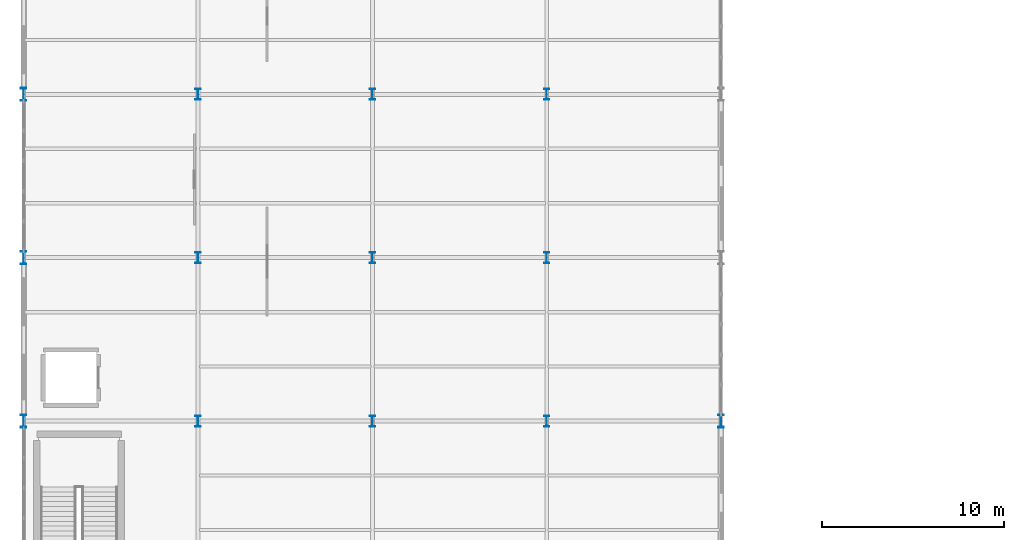
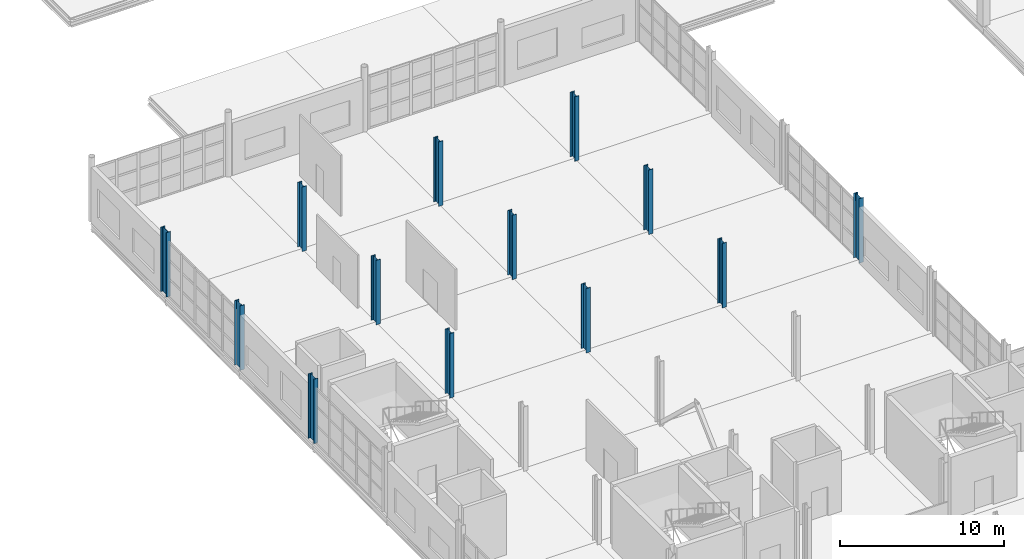
# One storey, part 3 of 120: 13 columns.
"""IFC4 building model written with IfcOpenShell, lengths in metres."""

from ifc_helpers import new_model, si_unit, direction, frame, origin, origin_2d, place, context, subcontext, project, spatial, i_section, extrude, material, material_profile, profile_set, type_object, element, save


model = new_model("IFC4")

# Units and contexts
model_context = context("Model", 3, precision=1e-05, world=origin(), true_north=direction((0.0, 1.0)))
body_context = subcontext(model_context, "Body", "Model", "MODEL_VIEW")
ifc_project = project(units=[si_unit("LENGTHUNIT", "METRE"), si_unit("AREAUNIT", "SQUARE_METRE"), si_unit("VOLUMEUNIT", "CUBIC_METRE"), si_unit("PLANEANGLEUNIT", "RADIAN"), si_unit("MASSUNIT", "GRAM", prefix="KILO")], contexts=[model_context])

# Site, building, storey
site_placement = place(None, origin())
site = spatial("IfcSite", under=ifc_project, at=site_placement, CompositionType="ELEMENT")
building_placement = place(site_placement, origin())
building = spatial("IfcBuilding", under=site, at=building_placement, Name="Zarnetskaya Central Station", CompositionType="ELEMENT")
storey_placement = place(building_placement, frame((0.0, 0.0, 5.39990234375)))
storey = spatial("IfcBuildingStorey", under=building, at=storey_placement, Name="L01", CompositionType="ELEMENT", Elevation=5.39990234375)

# Columns
ifc_material = material(Name="Steel S355", Category="steel")
ifc_material_profile_1 = material_profile(ifc_material, i_section(OverallWidth=0.300048828125, OverallDepth=0.699951171875, WebThickness=0.01708984375, FlangeThickness=0.031982421875, FilletRadius=0.027099609375, at=origin_2d()), Name="HEB 700")
ifc_profile_set_1 = profile_set([ifc_material_profile_1], Name="Steel S355")
column_type_1 = type_object("IfcColumnType", Name="COL-V5-LOW-E", PredefinedType="COLUMN", material=ifc_profile_set_1)
for number, where, z_axis, x_axis, name in (
    (1, (0.0, 40.199951171875, 0.0), (0.0, 0.0, 1.0), (1.0, 0.0, 0.0), "Column A6 L01"),
    (2, (0.0, 49.199951171875, 0.0), (0.0, 0.0, 1.0), (1.0, 0.0, 0.0), "Column A7 L01"),
    (3, (0.0, 58.199951171875, 0.0), (0.0, 0.0, 1.0), (1.0, 0.0, 0.0), "Column A8 L01"),
    (4, (38.39990234375, 40.199951171875, 0.0), (0.0, 0.0, 1.0), (1.0, 0.0, 0.0), "Column E6 L01"),
):
    element("IfcColumn", number, at=place(storey_placement, frame(where, z_axis=z_axis, x_axis=x_axis)), inside=storey, type_object=column_type_1, Name=name, PredefinedType="COLUMN", context=body_context, shape_type="SweptSolid", body=[
        extrude(i_section(OverallWidth=0.300048828125, OverallDepth=0.699951171875, WebThickness=0.01708984375, FlangeThickness=0.031982421875, FilletRadius=0.027099609375, at=origin_2d()), origin(), (0.0, 0.0, 1.0), 4.800048828125),
    ])
ifc_material_profile_2 = material_profile(ifc_material, i_section(OverallWidth=0.300048828125, OverallDepth=0.60009765625, WebThickness=0.015380859375, FlangeThickness=0.030029296875, FilletRadius=0.027099609375, at=origin_2d()), Name="HEB 600")
ifc_profile_set_2 = profile_set([ifc_material_profile_2], Name="Steel S355")
column_type_2 = type_object("IfcColumnType", Name="COL-V5-LOW-I", PredefinedType="COLUMN", material=ifc_profile_set_2)
for number, where, z_axis, x_axis, name in (
    (5, (9.60009765625, 40.199951171875, 0.0), (0.0, 0.0, 1.0), (1.0, 0.0, 0.0), "Column B6 L01"),
    (6, (9.60009765625, 49.199951171875, 0.0), (0.0, 0.0, 1.0), (1.0, 0.0, 0.0), "Column B7 L01"),
    (7, (9.60009765625, 58.199951171875, 0.0), (0.0, 0.0, 1.0), (1.0, 0.0, 0.0), "Column B8 L01"),
    (8, (19.199951171875, 40.199951171875, 0.0), (0.0, 0.0, 1.0), (1.0, 0.0, 0.0), "Column C6 L01"),
    (9, (19.199951171875, 49.199951171875, 0.0), (0.0, 0.0, 1.0), (1.0, 0.0, 0.0), "Column C7 L01"),
    (10, (19.199951171875, 58.199951171875, 0.0), (0.0, 0.0, 1.0), (1.0, 0.0, 0.0), "Column C8 L01"),
    (11, (28.800048828125, 40.199951171875, 0.0), (0.0, 0.0, 1.0), (1.0, 0.0, 0.0), "Column D6 L01"),
    (12, (28.800048828125, 49.199951171875, 0.0), (0.0, 0.0, 1.0), (1.0, 0.0, 0.0), "Column D7 L01"),
    (13, (28.800048828125, 58.199951171875, 0.0), (0.0, 0.0, 1.0), (1.0, 0.0, 0.0), "Column D8 L01"),
):
    element("IfcColumn", number, at=place(storey_placement, frame(where, z_axis=z_axis, x_axis=x_axis)), inside=storey, type_object=column_type_2, Name=name, PredefinedType="COLUMN", context=body_context, shape_type="SweptSolid", body=[
        extrude(i_section(OverallWidth=0.300048828125, OverallDepth=0.60009765625, WebThickness=0.015380859375, FlangeThickness=0.030029296875, FilletRadius=0.027099609375, at=origin_2d()), origin(), (0.0, 0.0, 1.0), 4.800048828125),
    ])

save(model, "model.ifc")
